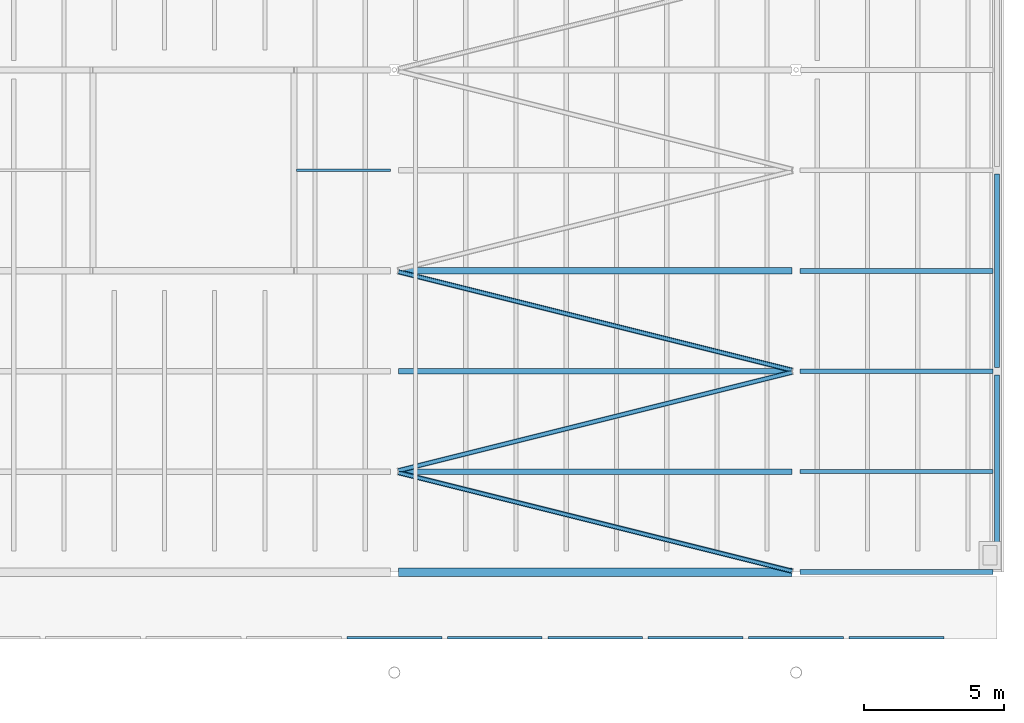
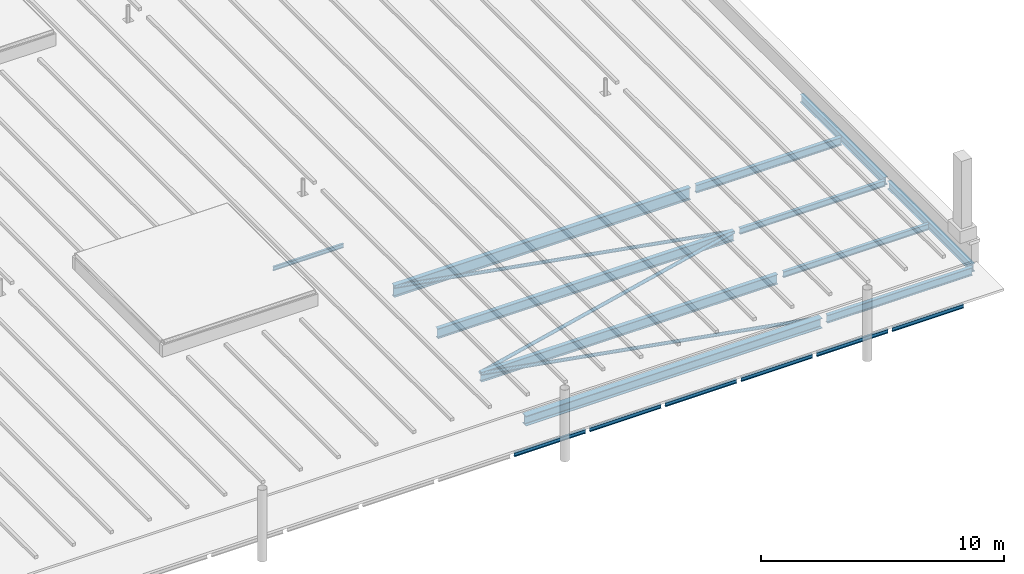
# One storey, part 42 of 120: 17 beams, 3 members.
"""IFC4 building model written with IfcOpenShell, lengths in metres."""

from ifc_helpers import new_model, si_unit, direction, frame, origin, origin_2d, place, context, subcontext, project, spatial, hollow_circle, i_section, extrude, material, material_profile, profile_set, type_object, element, save


model = new_model("IFC4")

# Units and contexts
model_context = context("Model", 3, precision=1e-05, world=origin(), true_north=direction((0.0, 1.0)))
body_context = subcontext(model_context, "Body", "Model", "MODEL_VIEW")
ifc_project = project(units=[si_unit("LENGTHUNIT", "METRE"), si_unit("AREAUNIT", "SQUARE_METRE"), si_unit("VOLUMEUNIT", "CUBIC_METRE"), si_unit("PLANEANGLEUNIT", "RADIAN"), si_unit("MASSUNIT", "GRAM", prefix="KILO")], contexts=[model_context])

# Site, building, storey
site_placement = place(None, origin())
site = spatial("IfcSite", under=ifc_project, at=site_placement, CompositionType="ELEMENT")
building_placement = place(site_placement, origin())
building = spatial("IfcBuilding", under=site, at=building_placement, Name="Kupolbacken Congress Centre", CompositionType="ELEMENT")
storey_placement = place(building_placement, frame((0.0, 0.0, 21.60009765625)))
storey = spatial("IfcBuildingStorey", under=building, at=storey_placement, Name="L06", CompositionType="ELEMENT", Elevation=21.60009765625)

# Beams
ifc_material_1 = material(Name="Steel S355", Category="steel")
ifc_material_profile_1 = material_profile(ifc_material_1, i_section(OverallWidth=0.10009765625, OverallDepth=0.199951171875, WebThickness=0.005615234375, FlangeThickness=0.008544921875, FilletRadius=0.011962890625, at=origin_2d()), Name="IPE 200")
ifc_profile_set_1 = profile_set([ifc_material_profile_1], Name="Steel S355")
beam_type_1 = type_object("IfcBeamType", Name="B01 beam IPE 200", PredefinedType="BEAM", material=ifc_profile_set_1)
beam_1_placement = place(storey_placement, frame((176.5, 57.60009765625, -0.10009765625), z_axis=(1.0, 0.0, 0.0), x_axis=(0.0, 1.0, 0.0)))
element("IfcBeam", 1, at=beam_1_placement, inside=storey, type_object=beam_type_1, Name="HR/P04-06-1", PredefinedType="BEAM", context=body_context, shape_type="SweptSolid", body=[
    extrude(i_section(OverallWidth=0.10009765625, OverallDepth=0.199951171875, WebThickness=0.005615234375, FlangeThickness=0.008544921875, FilletRadius=0.011962890625, at=origin_2d()), origin(), (0.0, 0.0, 1.0), 3.35498046875),
])
beam_2_placement = place(storey_placement, frame((178.300048828125, 40.85009765625, 0.06982421875), z_axis=(1.0, 0.0, 0.0), x_axis=(0.0, 1.0, 0.0)))
element("IfcBeam", 2, at=beam_2_placement, inside=storey, type_object=beam_type_1, Name="S/edge/HE/S/26", PredefinedType="BEAM", context=body_context, shape_type="SweptSolid", body=[
    extrude(i_section(OverallWidth=0.10009765625, OverallDepth=0.199951171875, WebThickness=0.005615234375, FlangeThickness=0.008544921875, FilletRadius=0.011962890625, at=origin_2d()), origin(), (0.0, 0.0, 1.0), 3.39990234375),
])
beam_3_placement = place(storey_placement, frame((181.89990234375, 40.85009765625, 0.06982421875), z_axis=(1.0, 0.0, 0.0), x_axis=(0.0, 1.0, 0.0)))
element("IfcBeam", 3, at=beam_3_placement, inside=storey, type_object=beam_type_1, Name="S/edge/HE/S/27", PredefinedType="BEAM", context=body_context, shape_type="SweptSolid", body=[
    extrude(i_section(OverallWidth=0.10009765625, OverallDepth=0.199951171875, WebThickness=0.005615234375, FlangeThickness=0.008544921875, FilletRadius=0.011962890625, at=origin_2d()), origin(), (0.0, 0.0, 1.0), 3.400146484375),
])
for number, where, z_axis, x_axis, name in (
    (4, (185.5, 40.85009765625, 0.06982421875), (1.0, 0.0, 0.0), (0.0, 1.0, 0.0), "S/edge/HE/S/28"),
    (5, (189.10009765625, 40.85009765625, 0.06982421875), (1.0, 0.0, 0.0), (0.0, 1.0, 0.0), "S/edge/HE/S/29"),
):
    element("IfcBeam", number, at=place(storey_placement, frame(where, z_axis=z_axis, x_axis=x_axis)), inside=storey, type_object=beam_type_1, Name=name, PredefinedType="BEAM", context=body_context, shape_type="SweptSolid", body=[
        extrude(i_section(OverallWidth=0.10009765625, OverallDepth=0.199951171875, WebThickness=0.005615234375, FlangeThickness=0.008544921875, FilletRadius=0.011962890625, at=origin_2d()), origin(), (0.0, 0.0, 1.0), 3.39990234375),
    ])
beam_4_placement = place(storey_placement, frame((192.699951171875, 40.85009765625, 0.06982421875), z_axis=(1.0, 0.0, 0.0), x_axis=(0.0, 1.0, 0.0)))
element("IfcBeam", 6, at=beam_4_placement, inside=storey, type_object=beam_type_1, Name="S/edge/HE/S/30", PredefinedType="BEAM", context=body_context, shape_type="SweptSolid", body=[
    extrude(i_section(OverallWidth=0.10009765625, OverallDepth=0.199951171875, WebThickness=0.005615234375, FlangeThickness=0.008544921875, FilletRadius=0.011962890625, at=origin_2d()), origin(), (0.0, 0.0, 1.0), 3.400146484375),
])
beam_5_placement = place(storey_placement, frame((196.300048828125, 40.85009765625, 0.06982421875), z_axis=(1.0, 0.0, 0.0), x_axis=(0.0, 1.0, 0.0)))
element("IfcBeam", 7, at=beam_5_placement, inside=storey, type_object=beam_type_1, Name="S/edge/HE/S/31", PredefinedType="BEAM", context=body_context, shape_type="SweptSolid", body=[
    extrude(i_section(OverallWidth=0.10009765625, OverallDepth=0.199951171875, WebThickness=0.005615234375, FlangeThickness=0.008544921875, FilletRadius=0.011962890625, at=origin_2d()), origin(), (0.0, 0.0, 1.0), 3.39990234375),
])
ifc_material_2 = material(Name="Steel S355", Category="steel")
ifc_material_profile_2 = material_profile(ifc_material_2, i_section(OverallWidth=0.14990234375, OverallDepth=0.300048828125, WebThickness=0.007080078125, FlangeThickness=0.0107421875, FilletRadius=0.014892578125, at=origin_2d()), Name="IPE 300")
ifc_profile_set_2 = profile_set([ifc_material_profile_2], Name="Steel S355")
beam_type_2 = type_object("IfcBeamType", Name="B04 beam IPE 300", PredefinedType="BEAM", material=ifc_profile_set_2)
for number, where, z_axis, x_axis, name in (
    (8, (194.544921875, 46.800048828125, -0.150146484375), (1.0, 0.0, 0.0), (0.0, 1.0, 0.0), "HR/P01-08"),
    (9, (194.544921875, 50.39990234375, -0.150146484375), (1.0, 0.0, 0.0), (0.0, 1.0, 0.0), "HR/P02-08"),
):
    element("IfcBeam", number, at=place(storey_placement, frame(where, z_axis=z_axis, x_axis=x_axis)), inside=storey, type_object=beam_type_2, Name=name, PredefinedType="BEAM", context=body_context, shape_type="SweptSolid", body=[
        extrude(i_section(OverallWidth=0.14990234375, OverallDepth=0.300048828125, WebThickness=0.007080078125, FlangeThickness=0.0107421875, FilletRadius=0.014892578125, at=origin_2d()), origin(), (0.0, 0.0, 1.0), 6.9150390625),
    ])
ifc_material_3 = material(Name="Steel S355", Category="steel")
ifc_material_profile_3 = material_profile(ifc_material_3, i_section(OverallWidth=0.179931640625, OverallDepth=0.39990234375, WebThickness=0.008544921875, FlangeThickness=0.013427734375, FilletRadius=0.02099609375, at=origin_2d()), Name="IPE 400")
ifc_profile_set_3 = profile_set([ifc_material_profile_3], Name="Steel S355")
beam_type_3 = type_object("IfcBeamType", Name="B07 beam IPE 400", PredefinedType="BEAM", material=ifc_profile_set_3)
for number, where, z_axis, x_axis, name in (
    (10, (201.60009765625, 43.330078125, -0.2001953125), (0.0, 1.0, 0.0), (-1.0, 0.0, 0.0), "HR/GE01"),
    (11, (201.60009765625, 50.530029296875, -0.2001953125), (0.0, 1.0, 0.0), (-1.0, 0.0, 0.0), "HR/GE02"),
):
    element("IfcBeam", number, at=place(storey_placement, frame(where, z_axis=z_axis, x_axis=x_axis)), inside=storey, type_object=beam_type_3, Name=name, PredefinedType="BEAM", context=body_context, shape_type="SweptSolid", body=[
        extrude(i_section(OverallWidth=0.179931640625, OverallDepth=0.39990234375, WebThickness=0.008544921875, FlangeThickness=0.013427734375, FilletRadius=0.02099609375, at=origin_2d()), origin(), (0.0, 0.0, 1.0), 6.93994140625),
    ])
for number, where, z_axis, x_axis, name in (
    (12, (194.544921875, 43.199951171875, -0.2001953125), (1.0, 0.0, 0.0), (0.0, 1.0, 0.0), "HR/E00-08"),
    (13, (194.544921875, 54.0, -0.2001953125), (1.0, 0.0, 0.0), (0.0, 1.0, 0.0), "HR/X03-08"),
):
    element("IfcBeam", number, at=place(storey_placement, frame(where, z_axis=z_axis, x_axis=x_axis)), inside=storey, type_object=beam_type_3, Name=name, PredefinedType="BEAM", context=body_context, shape_type="SweptSolid", body=[
        extrude(i_section(OverallWidth=0.179931640625, OverallDepth=0.39990234375, WebThickness=0.008544921875, FlangeThickness=0.013427734375, FilletRadius=0.02099609375, at=origin_2d()), origin(), (0.0, 0.0, 1.0), 6.9150390625),
    ])
ifc_material_4 = material(Name="Steel S355", Category="steel")
ifc_material_profile_4 = material_profile(ifc_material_4, i_section(OverallWidth=0.199951171875, OverallDepth=0.5, WebThickness=0.01025390625, FlangeThickness=0.01611328125, FilletRadius=0.02099609375, at=origin_2d()), Name="IPE 500")
ifc_profile_set_4 = profile_set([ifc_material_profile_4], Name="Steel S355")
beam_type_4 = type_object("IfcBeamType", Name="B09 beam IPE 500", PredefinedType="BEAM", material=ifc_profile_set_4)
for number, where, z_axis, x_axis, name in (
    (14, (180.14501953125, 46.800048828125, -0.25), (1.0, 0.0, 0.0), (0.0, 1.0, 0.0), "HR/P01-07"),
    (15, (180.14501953125, 50.39990234375, -0.25), (1.0, 0.0, 0.0), (0.0, 1.0, 0.0), "HR/P02-07"),
):
    element("IfcBeam", number, at=place(storey_placement, frame(where, z_axis=z_axis, x_axis=x_axis)), inside=storey, type_object=beam_type_4, Name=name, PredefinedType="BEAM", context=body_context, shape_type="SweptSolid", body=[
        extrude(i_section(OverallWidth=0.199951171875, OverallDepth=0.5, WebThickness=0.01025390625, FlangeThickness=0.01611328125, FilletRadius=0.02099609375, at=origin_2d()), origin(), (0.0, 0.0, 1.0), 14.10986328125),
    ])
ifc_material_5 = material(Name="Steel S355", Category="steel")
ifc_material_profile_5 = material_profile(ifc_material_5, i_section(OverallWidth=0.219970703125, OverallDepth=0.60009765625, WebThickness=0.011962890625, FlangeThickness=0.01904296875, FilletRadius=0.02392578125, at=origin_2d()), Name="IPE 600")
ifc_profile_set_5 = profile_set([ifc_material_profile_5], Name="Steel S355")
beam_type_5 = type_object("IfcBeamType", Name="B11 beam IPE 600", PredefinedType="BEAM", material=ifc_profile_set_5)
beam_6_placement = place(storey_placement, frame((180.14501953125, 54.0, -0.300048828125), z_axis=(1.0, 0.0, 0.0), x_axis=(0.0, 1.0, 0.0)))
element("IfcBeam", 16, at=beam_6_placement, inside=storey, type_object=beam_type_5, Name="HR/X03-07", PredefinedType="BEAM", context=body_context, shape_type="SweptSolid", body=[
    extrude(i_section(OverallWidth=0.219970703125, OverallDepth=0.60009765625, WebThickness=0.011962890625, FlangeThickness=0.01904296875, FilletRadius=0.02392578125, at=origin_2d()), origin(), (0.0, 0.0, 1.0), 14.10986328125),
])
ifc_material_6 = material(Name="Steel S355", Category="steel")
ifc_material_profile_6 = material_profile(ifc_material_6, i_section(OverallWidth=0.300048828125, OverallDepth=0.5, WebThickness=0.014404296875, FlangeThickness=0.028076171875, FilletRadius=0.027099609375, at=origin_2d()), Name="HEB 500")
ifc_profile_set_6 = profile_set([ifc_material_profile_6], Name="Steel S355")
beam_type_6 = type_object("IfcBeamType", Name="B20 beam HEB 500", PredefinedType="BEAM", material=ifc_profile_set_6)
beam_7_placement = place(storey_placement, frame((180.14501953125, 43.199951171875, -0.25), z_axis=(1.0, 0.0, 0.0), x_axis=(0.0, 1.0, 0.0)))
element("IfcBeam", 17, at=beam_7_placement, inside=storey, type_object=beam_type_6, Name="HR/E00-07", PredefinedType="BEAM", context=body_context, shape_type="SweptSolid", body=[
    extrude(i_section(OverallWidth=0.300048828125, OverallDepth=0.5, WebThickness=0.014404296875, FlangeThickness=0.028076171875, FilletRadius=0.027099609375, at=origin_2d()), origin(), (0.0, 0.0, 1.0), 14.10986328125),
])

# Members
ifc_material_7 = material(Name="Steel S355", Category="steel")
ifc_material_profile_7 = material_profile(ifc_material_7, hollow_circle(Radius=0.084228515625, WallThickness=0.008056640625, at=origin_2d()), Name="CHS 168.3 x 8")
ifc_profile_set_7 = profile_set([ifc_material_profile_7], Name="Steel S355")
member_type = type_object("IfcMemberType", Name="M21 brace CHS 168.3 x 8", PredefinedType="BRACE", material=ifc_profile_set_7)
for number, where, z_axis, x_axis, name in (
    (18, (194.25927734375, 43.235107421875, -0.084228515625), (-0.970140526498, 0.24254351949, 0.0), (-0.24254351949, -0.970140526498, 0.0), "HR/RB/07-00"),
    (19, (180.140625, 46.835205078125, -0.084228515625), (0.970144473737, 0.242527730535, 0.0), (-0.242527730535, 0.970144473737, 0.0), "HR/RB/07-01"),
    (20, (194.25927734375, 50.43505859375, -0.084228515625), (-0.970140526498, 0.24254351949, 0.0), (-0.24254351949, -0.970140526498, 0.0), "HR/RB/07-02"),
):
    element("IfcMember", number, at=place(storey_placement, frame(where, z_axis=z_axis, x_axis=x_axis)), inside=storey, type_object=member_type, Name=name, PredefinedType="BRACE", context=body_context, shape_type="SweptSolid", body=[
        extrude(hollow_circle(Radius=0.084228515625, WallThickness=0.008056640625, at=origin_2d()), origin(), (0.0, 0.0, 1.0), 14.55322265625),
    ])

save(model, "model.ifc")
